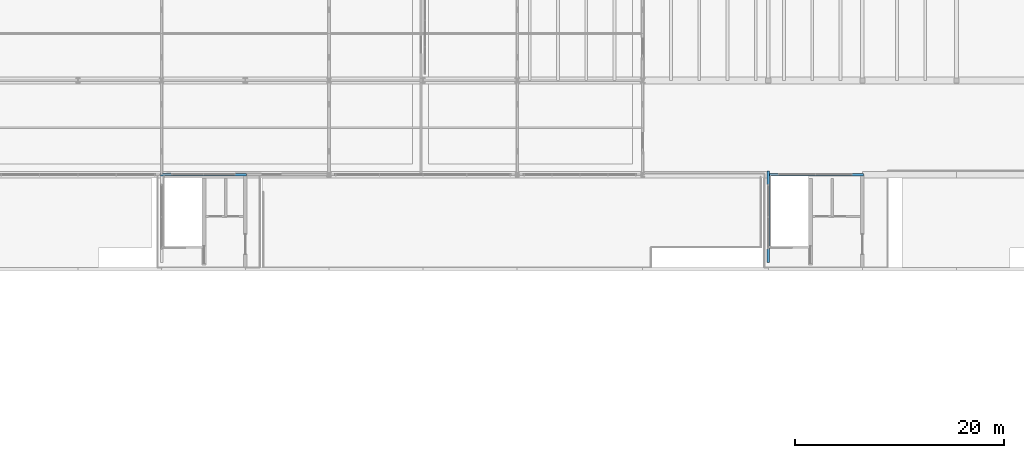
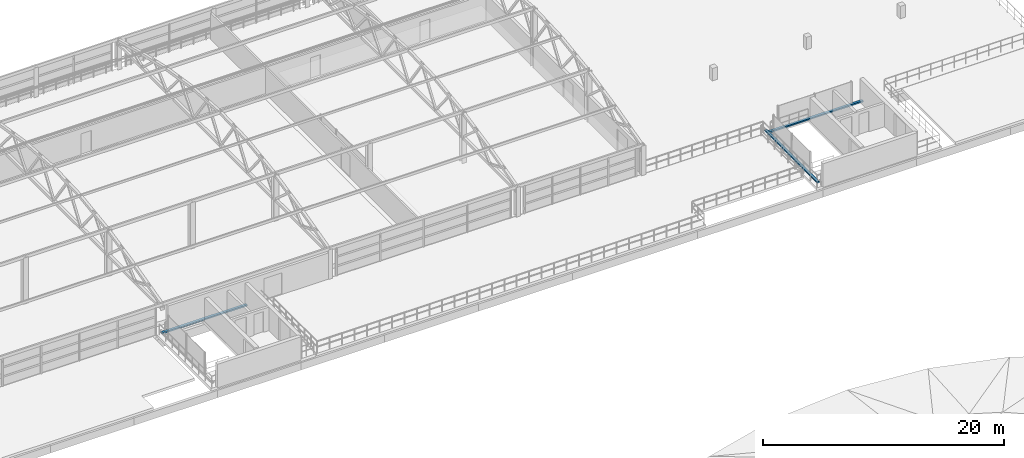
# One storey, part 42 of 50: 3 discrete accessories.
"""IFC4 building model written with IfcOpenShell, lengths in metres."""

from ifc_helpers import new_model, si_unit, derived_unit, direction, frame, origin, origin_2d, place, context, subcontext, project, spatial, rectangle, extrude, material, type_object, element, save


model = new_model("IFC4")

# Units and contexts
model_context = context("Model", 3, precision=1e-05, world=origin(), true_north=direction((0.0, 1.0)))
body_context = subcontext(model_context, "Body", "Model", "MODEL_VIEW")
ifc_project = project(units=[si_unit("LENGTHUNIT", "METRE"), si_unit("AREAUNIT", "SQUARE_METRE"), si_unit("VOLUMEUNIT", "CUBIC_METRE"), si_unit("PLANEANGLEUNIT", "RADIAN"), si_unit("MASSUNIT", "GRAM", prefix="KILO"), si_unit("THERMODYNAMICTEMPERATUREUNIT", "KELVIN"), derived_unit("THERMALTRANSMITTANCEUNIT", [(si_unit("POWERUNIT", "WATT"), 1), (si_unit("AREAUNIT", "SQUARE_METRE"), -1), (si_unit("THERMODYNAMICTEMPERATUREUNIT", "KELVIN"), -1)])], contexts=[model_context])

# Site, building, storey
site_placement = place(None, origin())
site = spatial("IfcSite", under=ifc_project, at=site_placement, CompositionType="ELEMENT")
building_placement = place(site_placement, origin())
building = spatial("IfcBuilding", under=site, at=building_placement, Name="Haiyu Intermodal Mobility Hub", CompositionType="ELEMENT")
storey_placement = place(building_placement, frame((0.0, 0.0, 25.10009765625)))
storey = spatial("IfcBuildingStorey", under=building, at=storey_placement, Name="L06", CompositionType="ELEMENT", Elevation=25.10009765625)

# Discrete accessories
ifc_material = material(Name="Steel Q355C", Category="steel")
discrete_accessory_type = type_object("IfcDiscreteAccessoryType", Name="ACC-BK02", PredefinedType="BRACKET", material=ifc_material)
discrete_accessory_1_placement = place(storey_placement, frame((66.0, 113.0, -0.0302734375), z_axis=(0.0, 0.0, 1.0), x_axis=(1.0, 0.0, 0.0)))
element("IfcDiscreteAccessory", 1, at=discrete_accessory_1_placement, inside=storey, type_object=discrete_accessory_type, Name="BRK-CPAR-C5-N", PredefinedType="BRACKET", context=body_context, shape_type="SweptSolid", body=[
    extrude(rectangle(XDim=8.199951171875, YDim=0.239990234375, at=origin_2d()), origin(), (0.0, 0.0, 1.0), 0.139892578125),
])
discrete_accessory_2_placement = place(storey_placement, frame((124.5, 113.0, -0.0302734375), z_axis=(0.0, 0.0, 1.0), x_axis=(1.0, 0.0, 0.0)))
element("IfcDiscreteAccessory", 2, at=discrete_accessory_2_placement, inside=storey, type_object=discrete_accessory_type, Name="BRK-CPAR-C6-N", PredefinedType="BRACKET", context=body_context, shape_type="SweptSolid", body=[
    extrude(rectangle(XDim=9.199951171875, YDim=0.239990234375, at=origin_2d()), origin(), (0.0, 0.0, 1.0), 0.139892578125),
])
discrete_accessory_3_placement = place(storey_placement, frame((120.0, 108.97509765625, -0.0302734375), z_axis=(0.0, 0.0, 1.0), x_axis=(1.0, 0.0, 0.0)))
element("IfcDiscreteAccessory", 3, at=discrete_accessory_3_placement, inside=storey, type_object=discrete_accessory_type, Name="BRK-CPAR-C6-W", PredefinedType="BRACKET", context=body_context, shape_type="SweptSolid", body=[
    extrude(rectangle(XDim=0.239990234375, YDim=8.75, at=origin_2d()), origin(), (0.0, 0.0, 1.0), 0.139892578125),
])

save(model, "model.ifc")
